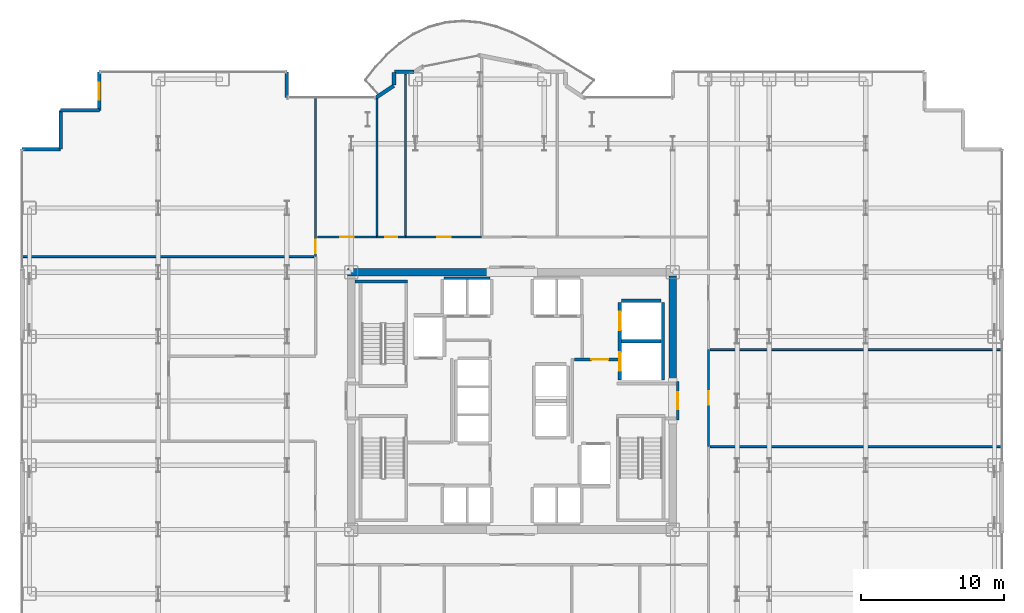
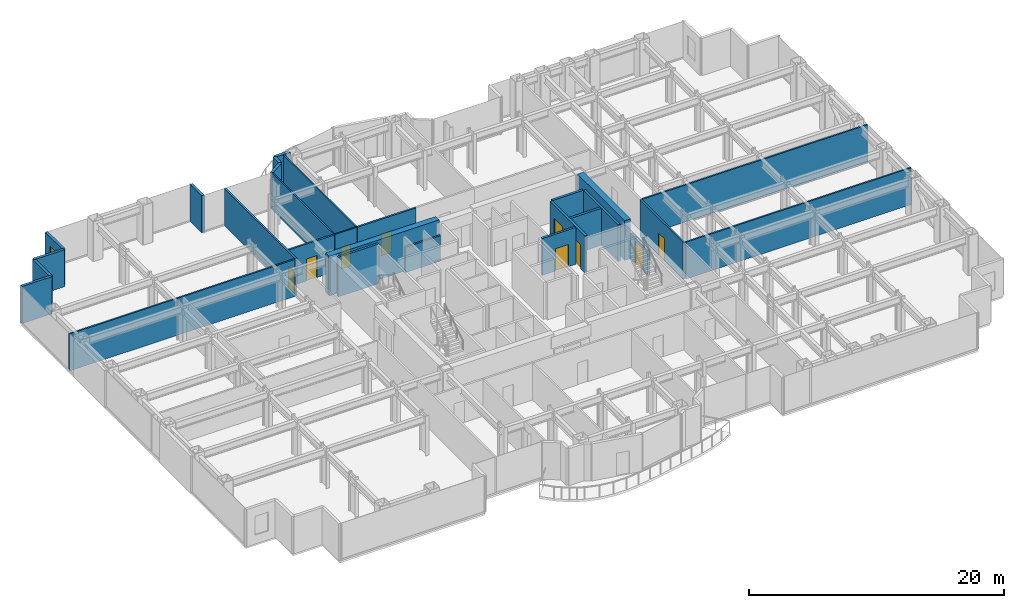
# One storey, part 25 of 28: 28 walls, 9 doors, 1 window, 10 openings.
"""IFC4 building model written with IfcOpenShell, lengths in metres."""

from ifc_helpers import new_model, si_unit, direction, frame, frame_2d, origin, place, context, subcontext, project, spatial, rectangle, extrude, source, transform, mapped, material, layer, layer_set, type_object, element, fill, save


model = new_model("IFC4")

# Units and contexts
model_context = context("Model", 3, precision=1e-05, world=origin(), true_north=direction((0.0, 1.0)))
body_context = subcontext(model_context, "Body", "Model", "MODEL_VIEW")
ifc_project = project(units=[si_unit("LENGTHUNIT", "METRE"), si_unit("AREAUNIT", "SQUARE_METRE"), si_unit("VOLUMEUNIT", "CUBIC_METRE"), si_unit("PLANEANGLEUNIT", "RADIAN"), si_unit("MASSUNIT", "GRAM", prefix="KILO")], contexts=[model_context])

# Site, building, storey
site_placement = place(None, origin())
site = spatial("IfcSite", under=ifc_project, at=site_placement, CompositionType="ELEMENT")
building_placement = place(site_placement, origin())
building = spatial("IfcBuilding", under=site, at=building_placement, Name="Nefas-Gora Pilgrimage Tower", CompositionType="ELEMENT")
storey_placement = place(building_placement, frame((0.0, 0.0, 102.199951171875)))
storey = spatial("IfcBuildingStorey", under=building, at=storey_placement, Name="L24", CompositionType="ELEMENT", Elevation=102.199951171875)

# Walls
ifc_material_1 = material(Name="Concrete C60/75", Category="concrete")
ifc_layer_1 = layer(ifc_material_1, 0.550048828125)
ifc_layer_set_1 = layer_set([ifc_layer_1], Name="Concrete C60/75")
wall_type_1 = type_object("IfcWallType", Name="SW-CORE-550", PredefinedType="SHEAR", material=ifc_layer_set_1)
shared_shape_1 = source(origin(), body_context, "Body", "SweptSolid", [
    extrude(rectangle(XDim=9.974853515625, YDim=0.550048828125, at=frame_2d((4.9873046875, 0.0))), origin(), (0.0, 0.0, 1.0), 3.800048828125),
])
wall_1_placement = place(storey_placement, frame((-11.52490234375, 9.0, 0.0), z_axis=(0.0, 0.0, 1.0), x_axis=(1.0, 0.0, 0.0)))
element("IfcWall", 1, at=wall_1_placement, inside=storey, type_object=wall_type_1, Name="L24 Core Shear Wall N-West", PredefinedType="SHEAR", context=body_context, shape_type="MappedRepresentation", body=[
    mapped(shared_shape_1, transform((0.0, 0.0, 0.0), x_axis=(1.0, 0.0, 0.0), y_axis=(0.0, 1.0, 0.0), z_axis=(0.0, 0.0, 1.0), scale=1.0)),
])
shared_shape_2 = source(origin(), body_context, "Body", "SweptSolid", [
    extrude(rectangle(XDim=7.375, YDim=0.550048828125, at=frame_2d((3.6875, 0.0))), origin(), (0.0, 0.0, 1.0), 3.800048828125),
])
wall_2_placement = place(storey_placement, frame((11.25, 1.35009765625, 0.0), z_axis=(0.0, 0.0, 1.0), x_axis=(0.0, 1.0, 0.0)))
element("IfcWall", 2, at=wall_2_placement, inside=storey, type_object=wall_type_1, Name="L24 Core Shear Wall E-North", PredefinedType="SHEAR", context=body_context, shape_type="MappedRepresentation", body=[
    mapped(shared_shape_2, transform((0.0, 0.0, 0.0), x_axis=(1.0, 0.0, 0.0), y_axis=(0.0, 1.0, 0.0), z_axis=(0.0, 0.0, 1.0), scale=1.0)),
])
ifc_material_2 = material(Name="Precast concrete C40/50", Category="concrete")
ifc_layer_2 = layer(ifc_material_2, 0.260009765625)
ifc_layer_set_2 = layer_set([ifc_layer_2], Name="Precast concrete C40/50")
wall_type_2 = type_object("IfcWallType", Name="EW-PORTAL-260", PredefinedType="SOLIDWALL", material=ifc_layer_set_2)
shared_shape_3 = source(origin(), body_context, "Body", "SweptSolid", [
    extrude(rectangle(XDim=1.800048828125, YDim=0.260009765625, at=frame_2d((0.89990234375, 0.0))), origin(), (0.0, 0.0, 1.0), 3.550048828125),
])
wall_3_placement = place(storey_placement, frame((-15.75, 21.219970703125, 0.0), z_axis=(0.0, 0.0, 1.0), x_axis=(0.0, 1.0, 0.0)))
element("IfcWall", 3, at=wall_3_placement, inside=storey, type_object=wall_type_2, Name="L24 Lobe Shoulder Precast Spandrel Pier 24", PredefinedType="SOLIDWALL", context=body_context, shape_type="MappedRepresentation", body=[
    mapped(shared_shape_3, transform((0.0, 0.0, 0.0), x_axis=(1.0, 0.0, 0.0), y_axis=(0.0, 1.0, 0.0), z_axis=(0.0, 0.0, 1.0), scale=1.0)),
])

# Wall, opening, window
ifc_material_3 = material(Name="Precast concrete C45/55", Category="concrete")
ifc_layer_3 = layer(ifc_material_3, 0.239990234375)
ifc_layer_set_3 = layer_set([ifc_layer_3], Name="Precast concrete C45/55")
wall_type_3 = type_object("IfcWallType", Name="EW-SERR-240", PredefinedType="SHEAR", material=ifc_layer_set_3)
shared_shape_4 = source(origin(), body_context, "Body", "SweptSolid", [
    extrude(rectangle(XDim=2.699951171875, YDim=0.239990234375, at=frame_2d((1.35009765625, 0.0))), origin(), (0.0, 0.0, 1.0), 3.550048828125),
])
wall_4_placement = place(storey_placement, frame((-28.8701171875, 23.02001953125, 0.0), z_axis=(0.0, 0.0, 1.0), x_axis=(0.0, -1.0, 0.0)))
wall_4 = element("IfcWall", 4, at=wall_4_placement, inside=storey, type_object=wall_type_3, Name="L24 Serrated Corner Shear Pier Wall 25", PredefinedType="SHEAR", context=body_context, shape_type="MappedRepresentation", body=[
    mapped(shared_shape_4, transform((0.0, 0.0, 0.0), x_axis=(1.0, 0.0, 0.0), y_axis=(0.0, 1.0, 0.0), z_axis=(0.0, 0.0, 1.0), scale=1.0)),
])
opening_1_placement = place(wall_4_placement, frame((0.75, 0.0, 0.85009765625)))
opening_1 = element("IfcOpeningElement", 5, at=opening_1_placement, cuts=wall_4, Name="Opening W-V1", PredefinedType="OPENING", context=body_context, shape_type="SweptSolid", body=[
    extrude(rectangle(XDim=1.199951171875, YDim=1.800048828125, at=frame_2d((0.60009765625, 0.89990234375))), frame((0.0, 0.1298828125, 0.0), z_axis=(0.0, -1.0, 0.0), x_axis=(1.0, 0.0, 0.0)), (0.0, 0.0, 1.0), 0.260009765625),
])
ifc_material_4 = material(Name="Dark ceramic-fritted operable aluminium-glass window", Category="aluminium")
window_type = type_object("IfcWindowType", Name="WIN-VENT-1200x1800", PartitioningType="SINGLE_PANEL", PredefinedType="WINDOW", material=ifc_material_4)
shared_shape_5 = source(origin(), body_context, "Body", "SweptSolid", [
    extrude(rectangle(XDim=1.199951171875, YDim=1.800048828125, at=frame_2d((0.60009765625, 0.89990234375))), frame((0.0, 0.030029296875, 0.0), z_axis=(0.0, -1.0, 0.0), x_axis=(1.0, 0.0, 0.0)), (0.0, 0.0, 1.0), 0.06005859375),
])
window_placement = place(opening_1_placement, origin())
window = element("IfcWindow", 6, at=window_placement, inside=storey, type_object=window_type, Name="L24 Operable Parallel-Outswing Window 25", OverallHeight=1.800048828125, OverallWidth=1.199951171875, PartitioningType="SINGLE_PANEL", PredefinedType="WINDOW", context=body_context, shape_type="MappedRepresentation", body=[
    mapped(shared_shape_5, transform((0.0, 0.0, 0.0), x_axis=(1.0, 0.0, 0.0), y_axis=(0.0, 1.0, 0.0), z_axis=(0.0, 0.0, 1.0), scale=1.0)),
])
fill(opening_1, window)

# Walls
for number, where, z_axis, x_axis, name in (
    (7, (-28.8701171875, 20.320068359375, 0.0), (0.0, 0.0, 1.0), (-1.0, 0.0, 0.0), "L24 Serrated Corner Shear Pier Wall 26"),
    (8, (-31.570068359375, 20.320068359375, 0.0), (0.0, 0.0, 1.0), (0.0, -1.0, 0.0), "L24 Serrated Corner Shear Pier Wall 27"),
    (9, (-31.570068359375, 17.6201171875, 0.0), (0.0, 0.0, 1.0), (-1.0, 0.0, 0.0), "L24 Serrated Corner Shear Pier Wall 28"),
):
    element("IfcWall", number, at=place(storey_placement, frame(where, z_axis=z_axis, x_axis=x_axis)), inside=storey, type_object=wall_type_3, Name=name, PredefinedType="SHEAR", context=body_context, shape_type="MappedRepresentation", body=[
        mapped(shared_shape_4, transform((0.0, 0.0, 0.0), x_axis=(1.0, 0.0, 0.0), y_axis=(0.0, 1.0, 0.0), z_axis=(0.0, 0.0, 1.0), scale=1.0)),
    ])
shared_shape_6 = source(origin(), body_context, "Body", "SweptSolid", [
    extrude(rectangle(XDim=1.468994140625, YDim=0.260009765625, at=frame_2d((0.734375, 0.0))), origin(), (0.0, 0.0, 1.0), 3.550048828125),
])
wall_5_placement = place(storey_placement, frame((-8.273193359375, 22.0517578125, 0.0), z_axis=(0.0, 0.0, 1.0), x_axis=(-0.831461760506, -0.555581983884, 0.0)))
element("IfcWall", 10, at=wall_5_placement, inside=storey, type_object=wall_type_2, Name="L24 Lobe Shoulder Precast Spandrel Pier 23", PredefinedType="SOLIDWALL", context=body_context, shape_type="MappedRepresentation", body=[
    mapped(shared_shape_6, transform((0.0, 0.0, 0.0), x_axis=(1.0, 0.0, 0.0), y_axis=(0.0, 1.0, 0.0), z_axis=(0.0, 0.0, 1.0), scale=1.0)),
])
shared_shape_7 = source(origin(), body_context, "Body", "SweptSolid", [
    extrude(rectangle(XDim=0.896728515625, YDim=0.260009765625, at=frame_2d((0.4482421875, 0.0))), origin(), (0.0, 0.0, 1.0), 3.550048828125),
])
wall_6_placement = place(storey_placement, frame((-8.25, 22.991943359375, 0.0), z_axis=(0.0, 0.0, 1.0), x_axis=(0.0, -1.0, 0.0)))
element("IfcWall", 11, at=wall_6_placement, inside=storey, type_object=wall_type_2, Name="L24 Lobe Shoulder Precast Spandrel Pier 22", PredefinedType="SOLIDWALL", context=body_context, shape_type="MappedRepresentation", body=[
    mapped(shared_shape_7, transform((0.0, 0.0, 0.0), x_axis=(1.0, 0.0, 0.0), y_axis=(0.0, 1.0, 0.0), z_axis=(0.0, 0.0, 1.0), scale=1.0)),
])
shared_shape_8 = source(origin(), body_context, "Body", "SweptSolid", [
    extrude(rectangle(XDim=1.369873046875, YDim=0.260009765625, at=frame_2d((0.68505859375, 0.0))), origin(), (0.0, 0.0, 1.0), 3.550048828125),
])
wall_7_placement = place(storey_placement, frame((-6.85205078125, 23.02001953125, 0.0), z_axis=(0.0, 0.0, 1.0), x_axis=(-1.0, 0.0, 0.0)))
element("IfcWall", 12, at=wall_7_placement, inside=storey, type_object=wall_type_2, Name="L24 Lobe Shoulder Precast Spandrel Pier 21", PredefinedType="SOLIDWALL", context=body_context, shape_type="MappedRepresentation", body=[
    mapped(shared_shape_8, transform((0.0, 0.0, 0.0), x_axis=(1.0, 0.0, 0.0), y_axis=(0.0, 1.0, 0.0), z_axis=(0.0, 0.0, 1.0), scale=1.0)),
])
ifc_material_5 = material(Name="Concrete C45/55", Category="concrete")
ifc_layer_4 = layer(ifc_material_5, 0.199951171875)
ifc_layer_set_4 = layer_set([ifc_layer_4], Name="Concrete C45/55")
wall_type_4 = type_object("IfcWallType", Name="IW-STAIR-200", PredefinedType="SOLIDWALL", material=ifc_layer_set_4)
shared_shape_9 = source(origin(), body_context, "Body", "SweptSolid", [
    extrude(rectangle(XDim=3.679931640625, YDim=0.199951171875, at=frame_2d((1.83984375, 0.0))), origin(), (0.0, 0.0, 1.0), 3.800048828125),
])
wall_8_placement = place(storey_placement, frame((-7.300048828125, 8.35009765625, 0.0), z_axis=(0.0, 0.0, 1.0), x_axis=(-1.0, 0.0, 0.0)))
element("IfcWall", 13, at=wall_8_placement, inside=storey, type_object=wall_type_4, Name="L24 Stairwell Shear Wall ST-01-far", PredefinedType="SOLIDWALL", context=body_context, shape_type="MappedRepresentation", body=[
    mapped(shared_shape_9, transform((0.0, 0.0, 0.0), x_axis=(1.0, 0.0, 0.0), y_axis=(0.0, 1.0, 0.0), z_axis=(0.0, 0.0, 1.0), scale=1.0)),
])
ifc_material_6 = material(Name="Gypsum acoustic stud partition")
ifc_layer_5 = layer(ifc_material_6, 0.159912109375)
ifc_layer_set_5 = layer_set([ifc_layer_5], Name="Gypsum acoustic stud partition")
wall_type_5 = type_object("IfcWallType", Name="IW-CORR-160", PredefinedType="PARTITIONING", material=ifc_layer_set_5)
shared_shape_10 = source(origin(), body_context, "Body", "SweptSolid", [
    extrude(rectangle(XDim=3.199951171875, YDim=0.159912109375, at=frame_2d((1.60009765625, 0.0))), origin(), (0.0, 0.0, 1.0), 2.425048828125),
])
wall_9_placement = place(storey_placement, frame((-1.550048828125, 8.580078125, 0.0), z_axis=(0.0, 0.0, 1.0), x_axis=(-1.0, 0.0, 0.0)))
element("IfcWall", 14, at=wall_9_placement, inside=storey, type_object=wall_type_5, Name="L24 Hoistway Wall PL1-W-N", PredefinedType="PARTITIONING", context=body_context, shape_type="MappedRepresentation", body=[
    mapped(shared_shape_10, transform((0.0, 0.0, 0.0), x_axis=(1.0, 0.0, 0.0), y_axis=(0.0, 1.0, 0.0), z_axis=(0.0, 0.0, 1.0), scale=1.0)),
])

# Wall, openings, doors
ifc_material_7 = material(Name="Concrete C40/50", Category="concrete")
ifc_layer_6 = layer(ifc_material_7, 0.219970703125)
ifc_layer_set_6 = layer_set([ifc_layer_6], Name="Concrete C40/50")
wall_type_6 = type_object("IfcWallType", Name="IW-SHAFT-220", PredefinedType="SOLIDWALL", material=ifc_layer_set_6)
shared_shape_11 = source(origin(), body_context, "Body", "SweptSolid", [
    extrude(rectangle(XDim=5.449951171875, YDim=0.219970703125, at=frame_2d((2.72509765625, 0.0))), origin(), (0.0, 0.0, 1.0), 3.53515625),
])
wall_10_placement = place(storey_placement, frame((7.5400390625, 6.89990234375, 0.0), z_axis=(0.0, 0.0, 1.0), x_axis=(0.0, -1.0, 0.0)))
wall_10 = element("IfcWall", 15, at=wall_10_placement, inside=storey, type_object=wall_type_6, Name="L24 Hoistway Wall SL-01-02-W", PredefinedType="SOLIDWALL", context=body_context, shape_type="MappedRepresentation", body=[
    mapped(shared_shape_11, transform((0.0, 0.0, 0.0), x_axis=(1.0, 0.0, 0.0), y_axis=(0.0, 1.0, 0.0), z_axis=(0.0, 0.0, 1.0), scale=1.0)),
])
opening_2_placement = place(wall_10_placement, frame((3.5, 0.0, 0.0)))
opening_2 = element("IfcOpeningElement", 16, at=opening_2_placement, cuts=wall_10, Name="Opening LD-SV", PredefinedType="OPENING", context=body_context, shape_type="SweptSolid", body=[
    extrude(rectangle(XDim=1.300048828125, YDim=2.300048828125, at=frame_2d((0.64990234375, 1.14990234375))), frame((0.0, 0.119873046875, 0.0), z_axis=(0.0, -1.0, 0.0), x_axis=(1.0, 0.0, 0.0)), (0.0, 0.0, 1.0), 0.239990234375),
])
opening_3_placement = place(wall_10_placement, frame((0.64990234375, 0.0, 0.0)))
opening_3 = element("IfcOpeningElement", 17, at=opening_3_placement, cuts=wall_10, Name="Opening LD-SV", PredefinedType="OPENING", context=body_context, shape_type="SweptSolid", body=[
    extrude(rectangle(XDim=1.300048828125, YDim=2.300048828125, at=frame_2d((0.64990234375, 1.14990234375))), frame((0.0, 0.119873046875, 0.0), z_axis=(0.0, -1.0, 0.0), x_axis=(1.0, 0.0, 0.0)), (0.0, 0.0, 1.0), 0.239990234375),
])
ifc_material_8 = material(Name="Heavy goods sliding lift landing door")
door_type_1 = type_object("IfcDoorType", Name="DR-LIFT-SERV-1300", OperationType="SLIDING_TO_RIGHT", PredefinedType="DOOR", material=ifc_material_8)
shared_shape_12 = source(origin(), body_context, "Body", "SweptSolid", [
    extrude(rectangle(XDim=1.300048828125, YDim=2.300048828125, at=frame_2d((0.64990234375, 1.14990234375))), frame((0.0, 0.02490234375, 0.0), z_axis=(0.0, -1.0, 0.0), x_axis=(1.0, 0.0, 0.0)), (0.0, 0.0, 1.0), 0.050048828125),
])
door_1_placement = place(opening_2_placement, origin())
door_1 = element("IfcDoor", 18, at=door_1_placement, inside=storey, type_object=door_type_1, Name="L24 Sliding Lift Landing Door SL-01", OperationType="SLIDING_TO_RIGHT", OverallHeight=2.300048828125, OverallWidth=1.300048828125, PredefinedType="DOOR", context=body_context, shape_type="MappedRepresentation", body=[
    mapped(shared_shape_12, transform((0.0, 0.0, 0.0), x_axis=(1.0, 0.0, 0.0), y_axis=(0.0, 1.0, 0.0), z_axis=(0.0, 0.0, 1.0), scale=1.0)),
])
fill(opening_2, door_1)
door_2_placement = place(opening_3_placement, origin())
door_2 = element("IfcDoor", 19, at=door_2_placement, inside=storey, type_object=door_type_1, Name="L24 Sliding Lift Landing Door SL-02", OperationType="SLIDING_TO_RIGHT", OverallHeight=2.300048828125, OverallWidth=1.300048828125, PredefinedType="DOOR", context=body_context, shape_type="MappedRepresentation", body=[
    mapped(shared_shape_12, transform((0.0, 0.0, 0.0), x_axis=(1.0, 0.0, 0.0), y_axis=(0.0, 1.0, 0.0), z_axis=(0.0, 0.0, 1.0), scale=1.0)),
])
fill(opening_3, door_2)

# Walls
wall_11_placement = place(storey_placement, frame((10.56005859375, 1.449951171875, 0.0), z_axis=(0.0, 0.0, 1.0), x_axis=(0.0, 1.0, 0.0)))
element("IfcWall", 20, at=wall_11_placement, inside=storey, type_object=wall_type_6, Name="L24 Hoistway Wall SL-01-02-E", PredefinedType="SOLIDWALL", context=body_context, shape_type="MappedRepresentation", body=[
    mapped(shared_shape_11, transform((0.0, 0.0, 0.0), x_axis=(1.0, 0.0, 0.0), y_axis=(0.0, 1.0, 0.0), z_axis=(0.0, 0.0, 1.0), scale=1.0)),
])
shared_shape_13 = source(origin(), body_context, "Body", "SweptSolid", [
    extrude(rectangle(XDim=2.780029296875, YDim=0.219970703125, at=frame_2d((1.39013671875, 0.0))), origin(), (0.0, 0.0, 1.0), 3.53515625),
])
for number, where, z_axis, x_axis, name in (
    (21, (7.659912109375, 4.175048828125, 0.0), (0.0, 0.0, 1.0), (1.0, 0.0, 0.0), "L24 Hoistway Wall SL-01-02-DIV"),
    (22, (10.43994140625, 7.010009765625, 0.0), (0.0, 0.0, 1.0), (-1.0, 0.0, 0.0), "L24 Hoistway Wall SL-02-N"),
):
    element("IfcWall", number, at=place(storey_placement, frame(where, z_axis=z_axis, x_axis=x_axis)), inside=storey, type_object=wall_type_6, Name=name, PredefinedType="SOLIDWALL", context=body_context, shape_type="MappedRepresentation", body=[
        mapped(shared_shape_13, transform((0.0, 0.0, 0.0), x_axis=(1.0, 0.0, 0.0), y_axis=(0.0, 1.0, 0.0), z_axis=(0.0, 0.0, 1.0), scale=1.0)),
    ])

# Wall, opening, door
ifc_material_9 = material(Name="Gypsum fire-rated shaftwall")
ifc_layer_7 = layer(ifc_material_9, 0.199951171875)
ifc_layer_set_7 = layer_set([ifc_layer_7], Name="Gypsum fire-rated shaftwall")
wall_type_7 = type_object("IfcWallType", Name="IW-FFLOB-200", PredefinedType="PARTITIONING", material=ifc_layer_set_7)
shared_shape_14 = source(origin(), body_context, "Body", "SweptSolid", [
    extrude(rectangle(XDim=2.7001953125, YDim=0.199951171875, at=frame_2d((1.35009765625, 0.0))), origin(), (0.0, 0.0, 1.0), 2.425048828125),
])
wall_12_placement = place(storey_placement, frame((11.60009765625, -1.35009765625, 0.0), z_axis=(0.0, 0.0, 1.0), x_axis=(0.0, 1.0, 0.0)))
wall_12 = element("IfcWall", 23, at=wall_12_placement, inside=storey, type_object=wall_type_7, Name="L24 FF Lobby East Portal Wall 8", PredefinedType="PARTITIONING", context=body_context, shape_type="MappedRepresentation", body=[
    mapped(shared_shape_14, transform((0.0, 0.0, 0.0), x_axis=(1.0, 0.0, 0.0), y_axis=(0.0, 1.0, 0.0), z_axis=(0.0, 0.0, 1.0), scale=1.0)),
])
opening_4_placement = place(wall_12_placement, frame((0.75, 0.0, 0.0)))
opening_4 = element("IfcOpeningElement", 24, at=opening_4_placement, cuts=wall_12, Name="Opening ID-FF1", PredefinedType="OPENING", context=body_context, shape_type="SweptSolid", body=[
    extrude(rectangle(XDim=1.199951171875, YDim=2.14990234375, at=frame_2d((0.60009765625, 1.074951171875))), frame((0.0, 0.10986328125, 0.0), z_axis=(0.0, -1.0, 0.0), x_axis=(1.0, 0.0, 0.0)), (0.0, 0.0, 1.0), 0.219970703125),
])
ifc_material_10 = material(Name="Smoke-sealed steel firefighting lobby door", Category="steel")
door_type_2 = type_object("IfcDoorType", Name="DR-INT-FFLOB-1200", OperationType="NOTDEFINED", PredefinedType="DOOR", material=ifc_material_10)
shared_shape_15 = source(origin(), body_context, "Body", "SweptSolid", [
    extrude(rectangle(XDim=1.199951171875, YDim=2.14990234375, at=frame_2d((0.60009765625, 1.074951171875))), frame((0.0, 0.02490234375, 0.0), z_axis=(0.0, -1.0, 0.0), x_axis=(1.0, 0.0, 0.0)), (0.0, 0.0, 1.0), 0.050048828125),
])
door_3_placement = place(opening_4_placement, origin())
door_3 = element("IfcDoor", 25, at=door_3_placement, inside=storey, type_object=door_type_2, Name="L24 FF Lobby East Portal Door 2", OperationType="SINGLE_SWING_RIGHT", OverallHeight=2.14990234375, OverallWidth=1.199951171875, PredefinedType="DOOR", context=body_context, shape_type="MappedRepresentation", body=[
    mapped(shared_shape_15, transform((0.0, 0.0, 0.0), x_axis=(1.0, 0.0, 0.0), y_axis=(0.0, 1.0, 0.0), z_axis=(0.0, 0.0, 1.0), scale=1.0)),
])
fill(opening_4, door_3)

shared_shape_16 = source(origin(), body_context, "Body", "SweptSolid", [
    extrude(rectangle(XDim=3.039794921875, YDim=0.199951171875, at=frame_2d((1.52001953125, 0.0))), origin(), (0.0, 0.0, 1.0), 3.53515625),
])
wall_13_placement = place(storey_placement, frame((4.360107421875, 2.89990234375, 0.0), z_axis=(0.0, 0.0, 1.0), x_axis=(1.0, 0.0, 0.0)))
wall_13 = element("IfcWall", 26, at=wall_13_placement, inside=storey, type_object=wall_type_7, Name="L24 FF Lobby East North Wall Wall 10", PredefinedType="PARTITIONING", context=body_context, shape_type="MappedRepresentation", body=[
    mapped(shared_shape_16, transform((0.0, 0.0, 0.0), x_axis=(1.0, 0.0, 0.0), y_axis=(0.0, 1.0, 0.0), z_axis=(0.0, 0.0, 1.0), scale=1.0)),
])
opening_5_placement = place(wall_13_placement, frame((1.18994140625, 0.0, 0.0)))
opening_5 = element("IfcOpeningElement", 27, at=opening_5_placement, cuts=wall_13, Name="Opening ID-PL1", PredefinedType="OPENING", context=body_context, shape_type="SweptSolid", body=[
    extrude(rectangle(XDim=1.199951171875, YDim=2.14990234375, at=frame_2d((0.60009765625, 1.074951171875))), frame((0.0, 0.10986328125, 0.0), z_axis=(0.0, -1.0, 0.0), x_axis=(1.0, 0.0, 0.0)), (0.0, 0.0, 1.0), 0.219970703125),
])
ifc_material_11 = material(Name="Heavy-duty steel plant room fire door", Category="steel")
door_type_3 = type_object("IfcDoorType", Name="DR-INT-PLANT-1200", OperationType="NOTDEFINED", PredefinedType="DOOR", material=ifc_material_11)
door_4_placement = place(opening_5_placement, origin())
door_4 = element("IfcDoor", 28, at=door_4_placement, inside=storey, type_object=door_type_3, Name="L24 Service Lift Lobby Door Door 3", OperationType="SINGLE_SWING_LEFT", OverallHeight=2.14990234375, OverallWidth=1.199951171875, PredefinedType="DOOR", context=body_context, shape_type="MappedRepresentation", body=[
    mapped(shared_shape_15, transform((0.0, 0.0, 0.0), x_axis=(1.0, 0.0, 0.0), y_axis=(0.0, 1.0, 0.0), z_axis=(0.0, 0.0, 1.0), scale=1.0)),
])
fill(opening_5, door_4)

ifc_material_12 = material(Name="Moisture-resistant fire-rated gypsum partition")
ifc_layer_8 = layer(ifc_material_12, 0.1201171875)
ifc_layer_set_8 = layer_set([ifc_layer_8], Name="Moisture-resistant fire-rated gypsum partition")
wall_type_8 = type_object("IfcWallType", Name="IW-WET-120", PredefinedType="PLUMBINGWALL", material=ifc_layer_set_8)
shared_shape_17 = source(origin(), body_context, "Body", "SweptSolid", [
    extrude(rectangle(XDim=2.02001953125, YDim=0.1201171875, at=frame_2d((1.010009765625, 0.0))), origin(), (0.0, 0.0, 1.0), 3.53515625),
])
wall_14_placement = place(storey_placement, frame((-9.4599609375, 11.469970703125, 0.0), z_axis=(0.0, 0.0, 1.0), x_axis=(1.0, 0.0, 0.0)))
wall_14 = element("IfcWall", 29, at=wall_14_placement, inside=storey, type_object=wall_type_8, Name="L24 Accessible Unisex WC Partition Wall 20", PredefinedType="PLUMBINGWALL", context=body_context, shape_type="MappedRepresentation", body=[
    mapped(shared_shape_17, transform((0.0, 0.0, 0.0), x_axis=(1.0, 0.0, 0.0), y_axis=(0.0, 1.0, 0.0), z_axis=(0.0, 0.0, 1.0), scale=1.0)),
])
opening_6_placement = place(wall_14_placement, frame((0.5849609375, 0.0, 0.0)))
opening_6 = element("IfcOpeningElement", 30, at=opening_6_placement, cuts=wall_14, Name="Opening ID-BT1", PredefinedType="OPENING", context=body_context, shape_type="SweptSolid", body=[
    extrude(rectangle(XDim=0.85009765625, YDim=2.10009765625, at=frame_2d((0.425048828125, 1.050048828125))), frame((0.0, 0.070068359375, 0.0), z_axis=(0.0, -1.0, 0.0), x_axis=(1.0, 0.0, 0.0)), (0.0, 0.0, 1.0), 0.14013671875),
])
ifc_material_13 = material(Name="Moisture-resistant fire-rated timber door", Category="wood")
door_type_4 = type_object("IfcDoorType", Name="DR-INT-BATH-850", OperationType="NOTDEFINED", PredefinedType="DOOR", material=ifc_material_13)
shared_shape_18 = source(origin(), body_context, "Body", "SweptSolid", [
    extrude(rectangle(XDim=0.85009765625, YDim=2.10009765625, at=frame_2d((0.425048828125, 1.050048828125))), frame((0.0, 0.02490234375, 0.0), z_axis=(0.0, -1.0, 0.0), x_axis=(1.0, 0.0, 0.0)), (0.0, 0.0, 1.0), 0.050048828125),
])
door_5_placement = place(opening_6_placement, origin())
door_5 = element("IfcDoor", 31, at=door_5_placement, inside=storey, type_object=door_type_4, Name="L24 Accessible Unisex WC Door 8", OperationType="SINGLE_SWING_RIGHT", OverallHeight=2.10009765625, OverallWidth=0.85009765625, PredefinedType="DOOR", context=body_context, shape_type="MappedRepresentation", body=[
    mapped(shared_shape_18, transform((0.0, 0.0, 0.0), x_axis=(1.0, 0.0, 0.0), y_axis=(0.0, 1.0, 0.0), z_axis=(0.0, 0.0, 1.0), scale=1.0)),
])
fill(opening_6, door_5)

# Walls
shared_shape_19 = source(origin(), body_context, "Body", "SweptSolid", [
    extrude(rectangle(XDim=11.280029296875, YDim=0.1201171875, at=frame_2d((5.64013671875, 0.0))), origin(), (0.0, 0.0, 1.0), 3.53515625),
])
wall_15_placement = place(storey_placement, frame((-7.449951171875, 11.570068359375, 0.0), z_axis=(0.0, 0.0, 1.0), x_axis=(0.0, 1.0, 0.0)))
element("IfcWall", 32, at=wall_15_placement, inside=storey, type_object=wall_type_8, Name="L24 Accessible Unisex WC Partition Wall 21", PredefinedType="PLUMBINGWALL", context=body_context, shape_type="MappedRepresentation", body=[
    mapped(shared_shape_19, transform((0.0, 0.0, 0.0), x_axis=(1.0, 0.0, 0.0), y_axis=(0.0, 1.0, 0.0), z_axis=(0.0, 0.0, 1.0), scale=1.0)),
])
shared_shape_20 = source(origin(), body_context, "Body", "SweptSolid", [
    extrude(rectangle(XDim=9.586669921875, YDim=0.1201171875, at=frame_2d((4.79345703125, 0.0))), origin(), (0.0, 0.0, 1.0), 3.53515625),
])
wall_16_placement = place(storey_placement, frame((-9.449951171875, 11.570068359375, 0.0), z_axis=(0.0, 0.0, 1.0), x_axis=(0.0, 1.0, 0.0)))
element("IfcWall", 33, at=wall_16_placement, inside=storey, type_object=wall_type_8, Name="L24 Accessible Unisex WC Partition Wall 22", PredefinedType="PLUMBINGWALL", context=body_context, shape_type="MappedRepresentation", body=[
    mapped(shared_shape_20, transform((0.0, 0.0, 0.0), x_axis=(1.0, 0.0, 0.0), y_axis=(0.0, 1.0, 0.0), z_axis=(0.0, 0.0, 1.0), scale=1.0)),
])

# Wall, opening, door
shared_shape_21 = source(origin(), body_context, "Body", "SweptSolid", [
    extrude(rectangle(XDim=4.125, YDim=0.159912109375, at=frame_2d((2.0625, 0.0))), origin(), (0.0, 0.0, 1.0), 3.53515625),
])
wall_17_placement = place(storey_placement, frame((-13.6201171875, 11.469970703125, 0.0), z_axis=(0.0, 0.0, 1.0), x_axis=(1.0, 0.0, 0.0)))
wall_17 = element("IfcWall", 34, at=wall_17_placement, inside=storey, type_object=wall_type_5, Name="L24 Pilgrim Fellowship Seminar Room Partition Wall 35", PredefinedType="PARTITIONING", context=body_context, shape_type="MappedRepresentation", body=[
    mapped(shared_shape_21, transform((0.0, 0.0, 0.0), x_axis=(1.0, 0.0, 0.0), y_axis=(0.0, 1.0, 0.0), z_axis=(0.0, 0.0, 1.0), scale=1.0)),
])
opening_7_placement = place(wall_17_placement, frame((1.58740234375, 0.0, 0.0)))
opening_7 = element("IfcOpeningElement", 35, at=opening_7_placement, cuts=wall_17, Name="Opening ID-GR1", PredefinedType="OPENING", context=body_context, shape_type="SweptSolid", body=[
    extrude(rectangle(XDim=0.949951171875, YDim=2.10009765625, at=frame_2d((0.47509765625, 1.050048828125))), frame((0.0, 0.08984375, 0.0), z_axis=(0.0, -1.0, 0.0), x_axis=(1.0, 0.0, 0.0)), (0.0, 0.0, 1.0), 0.179931640625),
])
ifc_material_14 = material(Name="Solid core oak fire-rated guest entrance door")
door_type_5 = type_object("IfcDoorType", Name="DR-INT-GUEST-950", OperationType="NOTDEFINED", PredefinedType="DOOR", material=ifc_material_14)
shared_shape_22 = source(origin(), body_context, "Body", "SweptSolid", [
    extrude(rectangle(XDim=0.949951171875, YDim=2.10009765625, at=frame_2d((0.47509765625, 1.050048828125))), frame((0.0, 0.02490234375, 0.0), z_axis=(0.0, -1.0, 0.0), x_axis=(1.0, 0.0, 0.0)), (0.0, 0.0, 1.0), 0.050048828125),
])
door_6_placement = place(opening_7_placement, origin())
door_6 = element("IfcDoor", 36, at=door_6_placement, inside=storey, type_object=door_type_5, Name="L24 Pilgrim Fellowship Seminar Room Door 16", OperationType="SINGLE_SWING_RIGHT", OverallHeight=2.10009765625, OverallWidth=0.949951171875, PredefinedType="DOOR", context=body_context, shape_type="MappedRepresentation", body=[
    mapped(shared_shape_22, transform((0.0, 0.0, 0.0), x_axis=(1.0, 0.0, 0.0), y_axis=(0.0, 1.0, 0.0), z_axis=(0.0, 0.0, 1.0), scale=1.0)),
])
fill(opening_7, door_6)

# Walls
ifc_material_15 = material(Name="Gypsum twin-stud partition")
ifc_layer_9 = layer(ifc_material_15, 0.139892578125)
ifc_layer_set_9 = layer_set([ifc_layer_9], Name="Gypsum twin-stud partition")
wall_type_9 = type_object("IfcWallType", Name="IW-UNIT-140", PredefinedType="PARTITIONING", material=ifc_layer_set_9)
shared_shape_23 = source(origin(), body_context, "Body", "SweptSolid", [
    extrude(rectangle(XDim=20.429931640625, YDim=0.139892578125, at=frame_2d((10.21484375, 0.0))), origin(), (0.0, 0.0, 1.0), 3.53515625),
])
for number, where, z_axis, x_axis, name in (
    (37, (-34.2900390625, 10.097412109375, 0.0), (0.0, 0.0, 1.0), (1.0, 0.0, 0.0), "L24 Pilgrim Floor Concierge Foyer Partition Wall 26"),
    (38, (13.860107421875, -3.205078125, 0.0), (0.0, 0.0, 1.0), (1.0, 0.0, 0.0), "L24 Pilgrim Fellowship Seminar Room Partition Wall 31"),
    (39, (13.860107421875, 3.594970703125, 0.0), (0.0, 0.0, 1.0), (1.0, 0.0, 0.0), "L24 Pilgrim Fellowship Seminar Room Partition Wall 33"),
):
    element("IfcWall", number, at=place(storey_placement, frame(where, z_axis=z_axis, x_axis=x_axis)), inside=storey, type_object=wall_type_9, Name=name, PredefinedType="PARTITIONING", context=body_context, shape_type="MappedRepresentation", body=[
        mapped(shared_shape_23, transform((0.0, 0.0, 0.0), x_axis=(1.0, 0.0, 0.0), y_axis=(0.0, 1.0, 0.0), z_axis=(0.0, 0.0, 1.0), scale=1.0)),
    ])

# Wall, opening, door
shared_shape_24 = source(origin(), body_context, "Body", "SweptSolid", [
    extrude(rectangle(XDim=11.152587890625, YDim=0.159912109375, at=frame_2d((5.576171875, 0.0))), origin(), (0.0, 0.0, 1.0), 3.53515625),
])
wall_18_placement = place(storey_placement, frame((-13.739990234375, 10.08740234375, 0.0), z_axis=(0.0, 0.0, 1.0), x_axis=(0.0, 1.0, 0.0)))
wall_18 = element("IfcWall", 40, at=wall_18_placement, inside=storey, type_object=wall_type_5, Name="L24 Pilgrim Floor Concierge Foyer Partition Wall 25", PredefinedType="PARTITIONING", context=body_context, shape_type="MappedRepresentation", body=[
    mapped(shared_shape_24, transform((0.0, 0.0, 0.0), x_axis=(1.0, 0.0, 0.0), y_axis=(0.0, 1.0, 0.0), z_axis=(0.0, 0.0, 1.0), scale=1.0)),
])
opening_8_placement = place(wall_18_placement, frame((0.236083984375, 0.0, 0.0)))
opening_8 = element("IfcOpeningElement", 41, at=opening_8_placement, cuts=wall_18, Name="Opening ID-GR1", PredefinedType="OPENING", context=body_context, shape_type="SweptSolid", body=[
    extrude(rectangle(XDim=0.949951171875, YDim=2.10009765625, at=frame_2d((0.47509765625, 1.050048828125))), frame((0.0, 0.08984375, 0.0), z_axis=(0.0, -1.0, 0.0), x_axis=(1.0, 0.0, 0.0)), (0.0, 0.0, 1.0), 0.179931640625),
])
door_7_placement = place(opening_8_placement, origin())
door_7 = element("IfcDoor", 42, at=door_7_placement, inside=storey, type_object=door_type_5, Name="L24 Pilgrim Floor Concierge Foyer Door 10", OperationType="SINGLE_SWING_RIGHT", OverallHeight=2.10009765625, OverallWidth=0.949951171875, PredefinedType="DOOR", context=body_context, shape_type="MappedRepresentation", body=[
    mapped(shared_shape_22, transform((0.0, 0.0, 0.0), x_axis=(1.0, 0.0, 0.0), y_axis=(0.0, 1.0, 0.0), z_axis=(0.0, 0.0, 1.0), scale=1.0)),
])
fill(opening_8, door_7)

shared_shape_25 = source(origin(), body_context, "Body", "SweptSolid", [
    extrude(rectangle(XDim=6.81005859375, YDim=0.159912109375, at=frame_2d((3.405029296875, 0.0))), origin(), (0.0, 0.0, 1.0), 3.53515625),
])
wall_19_placement = place(storey_placement, frame((13.739990234375, -3.205078125, 0.0), z_axis=(0.0, 0.0, 1.0), x_axis=(0.0, 1.0, 0.0)))
wall_19 = element("IfcWall", 43, at=wall_19_placement, inside=storey, type_object=wall_type_5, Name="L24 Pilgrim Fellowship Seminar Room Partition Wall 32", PredefinedType="PARTITIONING", context=body_context, shape_type="MappedRepresentation", body=[
    mapped(shared_shape_25, transform((0.0, 0.0, 0.0), x_axis=(1.0, 0.0, 0.0), y_axis=(0.0, 1.0, 0.0), z_axis=(0.0, 0.0, 1.0), scale=1.0)),
])
opening_9_placement = place(wall_19_placement, frame((2.929931640625, 0.0, 0.0)))
opening_9 = element("IfcOpeningElement", 44, at=opening_9_placement, cuts=wall_19, Name="Opening ID-GR1", PredefinedType="OPENING", context=body_context, shape_type="SweptSolid", body=[
    extrude(rectangle(XDim=0.949951171875, YDim=2.10009765625, at=frame_2d((0.47509765625, 1.050048828125))), frame((0.0, 0.08984375, 0.0), z_axis=(0.0, -1.0, 0.0), x_axis=(1.0, 0.0, 0.0)), (0.0, 0.0, 1.0), 0.179931640625),
])
door_8_placement = place(opening_9_placement, origin())
door_8 = element("IfcDoor", 45, at=door_8_placement, inside=storey, type_object=door_type_5, Name="L24 Pilgrim Fellowship Seminar Room Door 14", OperationType="SINGLE_SWING_RIGHT", OverallHeight=2.10009765625, OverallWidth=0.949951171875, PredefinedType="DOOR", context=body_context, shape_type="MappedRepresentation", body=[
    mapped(shared_shape_22, transform((0.0, 0.0, 0.0), x_axis=(1.0, 0.0, 0.0), y_axis=(0.0, 1.0, 0.0), z_axis=(0.0, 0.0, 1.0), scale=1.0)),
])
fill(opening_9, door_8)

shared_shape_26 = source(origin(), body_context, "Body", "SweptSolid", [
    extrude(rectangle(XDim=5.282470703125, YDim=0.159912109375, at=frame_2d((2.64111328125, 0.0))), origin(), (0.0, 0.0, 1.0), 3.53515625),
])
wall_20_placement = place(storey_placement, frame((-7.405029296875, 11.469970703125, 0.0), z_axis=(0.0, 0.0, 1.0), x_axis=(1.0, 0.0, 0.0)))
wall_20 = element("IfcWall", 46, at=wall_20_placement, inside=storey, type_object=wall_type_5, Name="L24 Pilgrim Contemplative Lounge Partition Wall 38", PredefinedType="PARTITIONING", context=body_context, shape_type="MappedRepresentation", body=[
    mapped(shared_shape_26, transform((0.0, 0.0, 0.0), x_axis=(1.0, 0.0, 0.0), y_axis=(0.0, 1.0, 0.0), z_axis=(0.0, 0.0, 1.0), scale=1.0)),
])
opening_10_placement = place(wall_20_placement, frame((2.166259765625, 0.0, 0.0)))
opening_10 = element("IfcOpeningElement", 47, at=opening_10_placement, cuts=wall_20, Name="Opening ID-GR1", PredefinedType="OPENING", context=body_context, shape_type="SweptSolid", body=[
    extrude(rectangle(XDim=0.949951171875, YDim=2.10009765625, at=frame_2d((0.47509765625, 1.050048828125))), frame((0.0, 0.08984375, 0.0), z_axis=(0.0, -1.0, 0.0), x_axis=(1.0, 0.0, 0.0)), (0.0, 0.0, 1.0), 0.179931640625),
])
door_9_placement = place(opening_10_placement, origin())
door_9 = element("IfcDoor", 48, at=door_9_placement, inside=storey, type_object=door_type_5, Name="L24 Pilgrim Contemplative Lounge Door 18", OperationType="SINGLE_SWING_RIGHT", OverallHeight=2.10009765625, OverallWidth=0.949951171875, PredefinedType="DOOR", context=body_context, shape_type="MappedRepresentation", body=[
    mapped(shared_shape_22, transform((0.0, 0.0, 0.0), x_axis=(1.0, 0.0, 0.0), y_axis=(0.0, 1.0, 0.0), z_axis=(0.0, 0.0, 1.0), scale=1.0)),
])
fill(opening_10, door_9)

save(model, "model.ifc")
